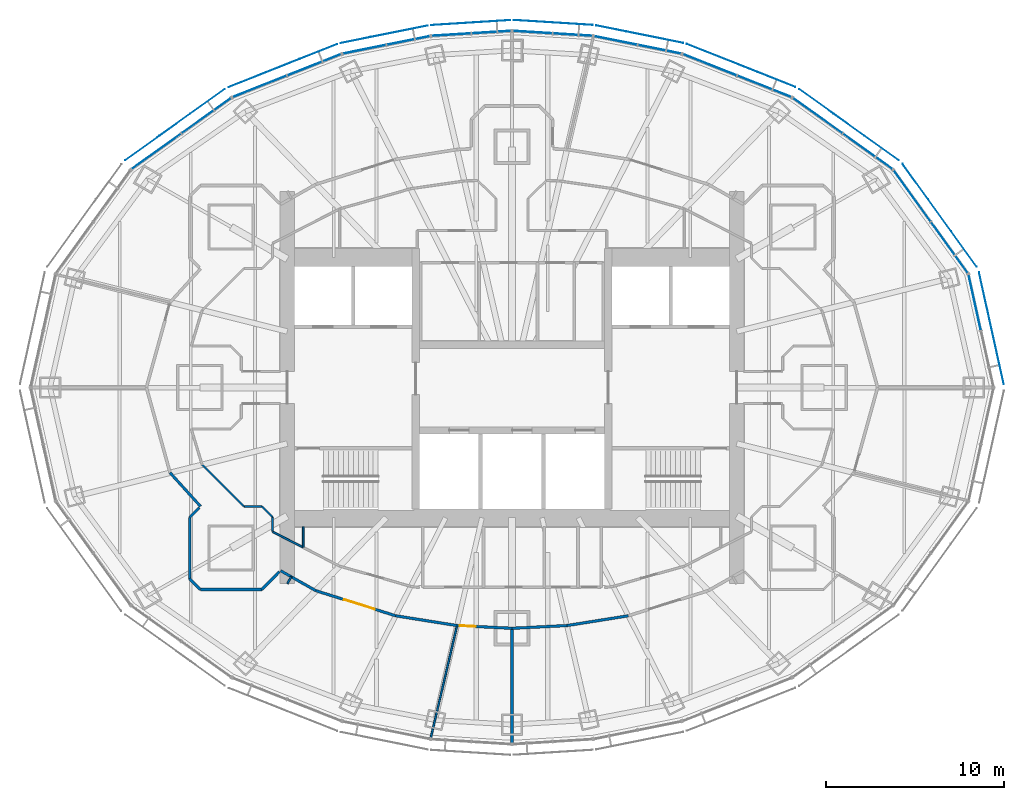
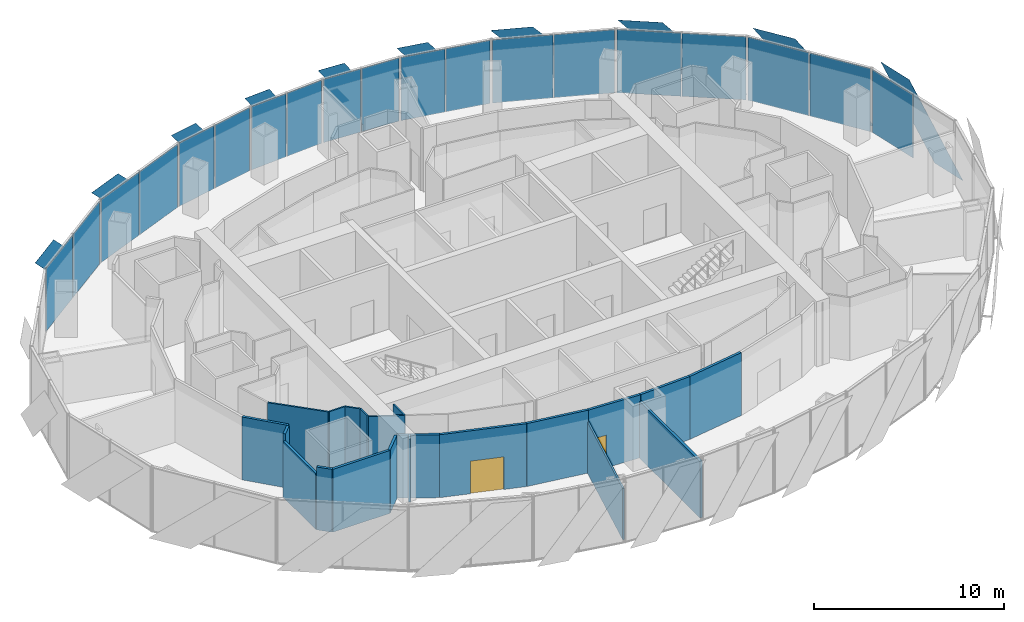
# One storey, part 11 of 18: 29 plates, 21 walls, 2 doors, 2 openings, 10 elements without a shape of their own.
"""IFC4 building model written with IfcOpenShell, lengths in metres."""

from ifc_helpers import new_model, si_unit, direction, frame, frame_2d, origin, origin_2d, place, context, subcontext, project, spatial, polyline, rectangle, outline, extrude, material, layer, layer_set, type_object, element, fill, aggregate, save


model = new_model("IFC4")

# Units and contexts
model_context = context("Model", 3, precision=1e-05, world=origin(), true_north=direction((0.0, 1.0)))
body_context = subcontext(model_context, "Body", "Model", "MODEL_VIEW")
ifc_project = project(units=[si_unit("LENGTHUNIT", "METRE"), si_unit("AREAUNIT", "SQUARE_METRE"), si_unit("VOLUMEUNIT", "CUBIC_METRE"), si_unit("PLANEANGLEUNIT", "RADIAN"), si_unit("MASSUNIT", "GRAM", prefix="KILO")], contexts=[model_context])

# Site, building, storey
site_placement = place(None, origin())
site = spatial("IfcSite", under=ifc_project, at=site_placement, CompositionType="ELEMENT")
building_placement = place(site_placement, origin())
building = spatial("IfcBuilding", under=site, at=building_placement, Name="Lantaw Convention Tower", CompositionType="ELEMENT")
storey_placement = place(building_placement, frame((0.0, 0.0, 262.0)))
storey = spatial("IfcBuildingStorey", under=building, at=storey_placement, Name="L61", CompositionType="ELEMENT", Elevation=262.0)

# Curtain wall, plate
ifc_material_1 = material(Name="Aluminium framed curtain wall", Category="aluminium")
curtain_wall_type = type_object("IfcCurtainWallType", Name="Office curtain wall high rise, pale aluminium", PredefinedType="USERDEFINED", material=ifc_material_1)
curtain_wall_1_placement = place(storey_placement, origin())
curtain_wall_1 = element("IfcCurtainWall", 1, at=curtain_wall_1_placement, inside=storey, type_object=curtain_wall_type, Name="Office curtain wall high rise, pale aluminium L61", ObjectType="UNITISED CURTAIN WALL", PredefinedType="USERDEFINED")
ifc_material_2 = material(Name="Clear insulating glass", Category="glass")
ifc_layer_1 = layer(ifc_material_2, 0.028076171875)
ifc_layer_set_1 = layer_set([ifc_layer_1], Name="CW-O2 panel 28")
plate_type_1 = type_object("IfcPlateType", Name="CW-O2 panel 28", PredefinedType="CURTAIN_PANEL", material=ifc_layer_set_1)
plate_1_placement = place(storey_placement, frame((25.945556640625, 4.769287109375, -0.0849609375), z_axis=(0.0, 0.0, 1.0), x_axis=(-0.215891333626, 0.976417396437, 0.0)))
plate_1 = element("IfcPlate", 2, at=plate_1_placement, type_object=plate_type_1, Name="CW-O2 panel 2.1", PredefinedType="CURTAIN_PANEL", context=body_context, shape_type="SweptSolid", body=[
    extrude(rectangle(XDim=3.169677734375, YDim=0.028076171875, at=origin_2d()), origin(), (0.0, 0.0, 1.0), 4.070068359375),
])
aggregate(curtain_wall_1, [plate_1])

# Curtain wall, plates
curtain_wall_2_placement = place(storey_placement, origin())
curtain_wall_2 = element("IfcCurtainWall", 3, at=curtain_wall_2_placement, inside=storey, type_object=curtain_wall_type, Name="Office curtain wall high rise, pale aluminium L61", ObjectType="UNITISED CURTAIN WALL", PredefinedType="USERDEFINED")
plate_2_placement = place(storey_placement, frame((24.527099609375, 7.852294921875, -0.0849609375), z_axis=(0.0, 0.0, 1.0), x_axis=(-0.585157643865, 0.810919559405, 0.0)))
plate_2 = element("IfcPlate", 4, at=plate_2_placement, type_object=plate_type_1, Name="CW-O2 panel 1.1", PredefinedType="CURTAIN_PANEL", context=body_context, shape_type="SweptSolid", body=[
    extrude(rectangle(XDim=3.500732421875, YDim=0.028076171875, at=origin_2d()), origin(), (0.0, 0.0, 1.0), 4.070068359375),
])
plate_3_placement = place(storey_placement, frame((22.4404296875, 10.743896484375, -0.0849609375), z_axis=(0.0, 0.0, 1.0), x_axis=(-0.585157643865, 0.810919559405, 0.0)))
plate_3 = element("IfcPlate", 5, at=plate_3_placement, type_object=plate_type_1, Name="CW-O2 panel 2.1", PredefinedType="CURTAIN_PANEL", context=body_context, shape_type="SweptSolid", body=[
    extrude(rectangle(XDim=3.500732421875, YDim=0.028076171875, at=origin_2d()), origin(), (0.0, 0.0, 1.0), 4.070068359375),
])
aggregate(curtain_wall_2, [plate_2, plate_3])

curtain_wall_3_placement = place(storey_placement, origin())
curtain_wall_3 = element("IfcCurtainWall", 6, at=curtain_wall_3_placement, inside=storey, type_object=curtain_wall_type, Name="Office curtain wall high rise, pale aluminium L61", ObjectType="UNITISED CURTAIN WALL", PredefinedType="USERDEFINED")
plate_4_placement = place(storey_placement, frame((19.947509765625, 13.23828125, -0.0849609375), z_axis=(0.0, 0.0, 1.0), x_axis=(-0.813672540482, 0.581323487281, 0.0)))
plate_4 = element("IfcPlate", 7, at=plate_4_placement, type_object=plate_type_1, Name="CW-O2 panel 1.1", PredefinedType="CURTAIN_PANEL", context=body_context, shape_type="SweptSolid", body=[
    extrude(rectangle(XDim=3.386474609375, YDim=0.028076171875, at=origin_2d()), origin(), (0.0, 0.0, 1.0), 4.070068359375),
])
plate_5_placement = place(storey_placement, frame((17.13916015625, 15.24462890625, -0.0849609375), z_axis=(0.0, 0.0, 1.0), x_axis=(-0.813672540482, 0.581323487281, 0.0)))
plate_5 = element("IfcPlate", 8, at=plate_5_placement, type_object=plate_type_1, Name="CW-O2 panel 2.1", PredefinedType="CURTAIN_PANEL", context=body_context, shape_type="SweptSolid", body=[
    extrude(rectangle(XDim=3.386474609375, YDim=0.028076171875, at=origin_2d()), origin(), (0.0, 0.0, 1.0), 4.070068359375),
])
aggregate(curtain_wall_3, [plate_4, plate_5])

curtain_wall_4_placement = place(storey_placement, origin())
curtain_wall_4 = element("IfcCurtainWall", 9, at=curtain_wall_4_placement, inside=storey, type_object=curtain_wall_type, Name="Office curtain wall high rise, pale aluminium L61", ObjectType="UNITISED CURTAIN WALL", PredefinedType="USERDEFINED")
plate_6_placement = place(storey_placement, frame((14.14990234375, 16.8837890625, -0.0849609375), z_axis=(0.0, 0.0, 1.0), x_axis=(-0.929761533743, 0.368162315252, 0.0)))
plate_6 = element("IfcPlate", 10, at=plate_6_placement, type_object=plate_type_1, Name="CW-O2 panel 1.1", PredefinedType="CURTAIN_PANEL", context=body_context, shape_type="SweptSolid", body=[
    extrude(rectangle(XDim=3.222900390625, YDim=0.028076171875, at=origin_2d()), origin(), (0.0, 0.0, 1.0), 4.070068359375),
])
plate_7_placement = place(storey_placement, frame((11.0927734375, 18.094482421875, -0.0849609375), z_axis=(0.0, 0.0, 1.0), x_axis=(-0.929761533743, 0.368162315252, 0.0)))
plate_7 = element("IfcPlate", 11, at=plate_7_placement, type_object=plate_type_1, Name="CW-O2 panel 2.1", PredefinedType="CURTAIN_PANEL", context=body_context, shape_type="SweptSolid", body=[
    extrude(rectangle(XDim=3.222900390625, YDim=0.028076171875, at=origin_2d()), origin(), (0.0, 0.0, 1.0), 4.070068359375),
])
aggregate(curtain_wall_4, [plate_6, plate_7])

curtain_wall_5_placement = place(storey_placement, origin())
curtain_wall_5 = element("IfcCurtainWall", 12, at=curtain_wall_5_placement, inside=storey, type_object=curtain_wall_type, Name="Office curtain wall high rise, pale aluminium L61", ObjectType="UNITISED CURTAIN WALL", PredefinedType="USERDEFINED")
plate_8_placement = place(storey_placement, frame((8.2724609375, 18.96533203125, -0.0849609375), z_axis=(0.0, 0.0, 1.0), x_axis=(-0.980366679695, 0.197183095987, 0.0)))
plate_8 = element("IfcPlate", 13, at=plate_8_placement, type_object=plate_type_1, Name="CW-O2 panel 1.1", PredefinedType="CURTAIN_PANEL", context=body_context, shape_type="SweptSolid", body=[
    extrude(rectangle(XDim=2.44384765625, YDim=0.028076171875, at=origin_2d()), origin(), (0.0, 0.0, 1.0), 4.070068359375),
])
plate_9_placement = place(storey_placement, frame((5.81298828125, 19.4599609375, -0.0849609375), z_axis=(0.0, 0.0, 1.0), x_axis=(-0.980366679695, 0.197183095987, 0.0)))
plate_9 = element("IfcPlate", 14, at=plate_9_placement, type_object=plate_type_1, Name="CW-O2 panel 2.1", PredefinedType="CURTAIN_PANEL", context=body_context, shape_type="SweptSolid", body=[
    extrude(rectangle(XDim=2.44384765625, YDim=0.028076171875, at=origin_2d()), origin(), (0.0, 0.0, 1.0), 4.070068359375),
])
aggregate(curtain_wall_5, [plate_8, plate_9])

curtain_wall_6_placement = place(storey_placement, origin())
curtain_wall_6 = element("IfcCurtainWall", 15, at=curtain_wall_6_placement, inside=storey, type_object=curtain_wall_type, Name="Office curtain wall high rise, pale aluminium L61", ObjectType="UNITISED CURTAIN WALL", PredefinedType="USERDEFINED")
plate_10_placement = place(storey_placement, frame((3.397216796875, 19.786376953125, -0.0849609375), z_axis=(0.0, 0.0, 1.0), x_axis=(-0.998028774865, 0.062757983884, 0.0)))
plate_10 = element("IfcPlate", 16, at=plate_10_placement, type_object=plate_type_1, Name="CW-O2 panel 1.1", PredefinedType="CURTAIN_PANEL", context=body_context, shape_type="SweptSolid", body=[
    extrude(rectangle(XDim=2.1826171875, YDim=0.028076171875, at=origin_2d()), origin(), (0.0, 0.0, 1.0), 4.070068359375),
])
plate_11_placement = place(storey_placement, frame((1.154052734375, 19.927490234375, -0.0849609375), z_axis=(0.0, 0.0, 1.0), x_axis=(-0.998028774865, 0.062757983884, 0.0)))
plate_11 = element("IfcPlate", 17, at=plate_11_placement, type_object=plate_type_1, Name="CW-O2 panel 2.1", PredefinedType="CURTAIN_PANEL", context=body_context, shape_type="SweptSolid", body=[
    extrude(rectangle(XDim=2.1826171875, YDim=0.028076171875, at=origin_2d()), origin(), (0.0, 0.0, 1.0), 4.070068359375),
])
aggregate(curtain_wall_6, [plate_10, plate_11])

curtain_wall_7_placement = place(storey_placement, origin())
curtain_wall_7 = element("IfcCurtainWall", 18, at=curtain_wall_7_placement, inside=storey, type_object=curtain_wall_type, Name="Office curtain wall high rise, pale aluminium L61", ObjectType="UNITISED CURTAIN WALL", PredefinedType="USERDEFINED")
plate_12_placement = place(storey_placement, frame((-1.154052734375, 19.927490234375, -0.0849609375), z_axis=(0.0, 0.0, 1.0), x_axis=(-0.998028774865, -0.062757983884, 0.0)))
plate_12 = element("IfcPlate", 19, at=plate_12_placement, type_object=plate_type_1, Name="CW-O2 panel 1.1", PredefinedType="CURTAIN_PANEL", context=body_context, shape_type="SweptSolid", body=[
    extrude(rectangle(XDim=2.1826171875, YDim=0.028076171875, at=origin_2d()), origin(), (0.0, 0.0, 1.0), 4.070068359375),
])
plate_13_placement = place(storey_placement, frame((-3.397216796875, 19.786376953125, -0.0849609375), z_axis=(0.0, 0.0, 1.0), x_axis=(-0.998028774865, -0.062757983884, 0.0)))
plate_13 = element("IfcPlate", 20, at=plate_13_placement, type_object=plate_type_1, Name="CW-O2 panel 2.1", PredefinedType="CURTAIN_PANEL", context=body_context, shape_type="SweptSolid", body=[
    extrude(rectangle(XDim=2.1826171875, YDim=0.028076171875, at=origin_2d()), origin(), (0.0, 0.0, 1.0), 4.070068359375),
])
aggregate(curtain_wall_7, [plate_12, plate_13])

curtain_wall_8_placement = place(storey_placement, origin())
curtain_wall_8 = element("IfcCurtainWall", 21, at=curtain_wall_8_placement, inside=storey, type_object=curtain_wall_type, Name="Office curtain wall high rise, pale aluminium L61", ObjectType="UNITISED CURTAIN WALL", PredefinedType="USERDEFINED")
plate_14_placement = place(storey_placement, frame((-5.81298828125, 19.4599609375, -0.0849609375), z_axis=(0.0, 0.0, 1.0), x_axis=(-0.980366679695, -0.197183095987, 0.0)))
plate_14 = element("IfcPlate", 22, at=plate_14_placement, type_object=plate_type_1, Name="CW-O2 panel 1.1", PredefinedType="CURTAIN_PANEL", context=body_context, shape_type="SweptSolid", body=[
    extrude(rectangle(XDim=2.44384765625, YDim=0.028076171875, at=origin_2d()), origin(), (0.0, 0.0, 1.0), 4.070068359375),
])
plate_15_placement = place(storey_placement, frame((-8.2724609375, 18.96533203125, -0.0849609375), z_axis=(0.0, 0.0, 1.0), x_axis=(-0.980366679695, -0.197183095987, 0.0)))
plate_15 = element("IfcPlate", 23, at=plate_15_placement, type_object=plate_type_1, Name="CW-O2 panel 2.1", PredefinedType="CURTAIN_PANEL", context=body_context, shape_type="SweptSolid", body=[
    extrude(rectangle(XDim=2.44384765625, YDim=0.028076171875, at=origin_2d()), origin(), (0.0, 0.0, 1.0), 4.070068359375),
])
aggregate(curtain_wall_8, [plate_14, plate_15])

curtain_wall_9_placement = place(storey_placement, origin())
curtain_wall_9 = element("IfcCurtainWall", 24, at=curtain_wall_9_placement, inside=storey, type_object=curtain_wall_type, Name="Office curtain wall high rise, pale aluminium L61", ObjectType="UNITISED CURTAIN WALL", PredefinedType="USERDEFINED")
plate_16_placement = place(storey_placement, frame((-11.0927734375, 18.094482421875, -0.0849609375), z_axis=(0.0, 0.0, 1.0), x_axis=(-0.929761533743, -0.368162315252, 0.0)))
plate_16 = element("IfcPlate", 25, at=plate_16_placement, type_object=plate_type_1, Name="CW-O2 panel 1.1", PredefinedType="CURTAIN_PANEL", context=body_context, shape_type="SweptSolid", body=[
    extrude(rectangle(XDim=3.222900390625, YDim=0.028076171875, at=origin_2d()), origin(), (0.0, 0.0, 1.0), 4.070068359375),
])
plate_17_placement = place(storey_placement, frame((-14.14990234375, 16.8837890625, -0.0849609375), z_axis=(0.0, 0.0, 1.0), x_axis=(-0.929761533743, -0.368162315252, 0.0)))
plate_17 = element("IfcPlate", 26, at=plate_17_placement, type_object=plate_type_1, Name="CW-O2 panel 2.1", PredefinedType="CURTAIN_PANEL", context=body_context, shape_type="SweptSolid", body=[
    extrude(rectangle(XDim=3.222900390625, YDim=0.028076171875, at=origin_2d()), origin(), (0.0, 0.0, 1.0), 4.070068359375),
])
aggregate(curtain_wall_9, [plate_16, plate_17])

curtain_wall_10_placement = place(storey_placement, origin())
curtain_wall_10 = element("IfcCurtainWall", 27, at=curtain_wall_10_placement, inside=storey, type_object=curtain_wall_type, Name="Office curtain wall high rise, pale aluminium L61", ObjectType="UNITISED CURTAIN WALL", PredefinedType="USERDEFINED")
plate_18_placement = place(storey_placement, frame((-17.13916015625, 15.24462890625, -0.0849609375), z_axis=(0.0, 0.0, 1.0), x_axis=(-0.813672540482, -0.581323487281, 0.0)))
plate_18 = element("IfcPlate", 28, at=plate_18_placement, type_object=plate_type_1, Name="CW-O2 panel 1.1", PredefinedType="CURTAIN_PANEL", context=body_context, shape_type="SweptSolid", body=[
    extrude(rectangle(XDim=3.386474609375, YDim=0.028076171875, at=origin_2d()), origin(), (0.0, 0.0, 1.0), 4.070068359375),
])
plate_19_placement = place(storey_placement, frame((-19.947509765625, 13.23828125, -0.0849609375), z_axis=(0.0, 0.0, 1.0), x_axis=(-0.813672540482, -0.581323487281, 0.0)))
plate_19 = element("IfcPlate", 29, at=plate_19_placement, type_object=plate_type_1, Name="CW-O2 panel 2.1", PredefinedType="CURTAIN_PANEL", context=body_context, shape_type="SweptSolid", body=[
    extrude(rectangle(XDim=3.386474609375, YDim=0.028076171875, at=origin_2d()), origin(), (0.0, 0.0, 1.0), 4.070068359375),
])
aggregate(curtain_wall_10, [plate_18, plate_19])

# Plates
ifc_material_3 = material(Name="Perforated aluminium sheet, pale silver finish", Category="aluminium")
ifc_layer_2 = layer(ifc_material_3, 0.006103515625)
ifc_layer_set_2 = layer_set([ifc_layer_2], Name="Perforated aluminium solar SCREEN panel")
plate_type_2 = type_object("IfcPlateType", Name="Perforated aluminium solar SCREEN panel", PredefinedType="SHEET", material=ifc_layer_set_2)
plate_20_placement = place(storey_placement, frame((27.580810546875, 0.1796875, -0.175048828125), z_axis=(0.976429511424, 0.215836529031, 4.4219438e-05), x_axis=(-0.215836529242, 0.976429512379, 0.0)))
element("IfcPlate", 30, at=plate_20_placement, inside=storey, type_object=plate_type_2, Name="Solar SCREEN panel", PredefinedType="SHEET", context=body_context, shape_type="SweptSolid", body=[
    extrude(outline(polyline([(0.0, 0.0), (2.2215525295212517, -3.3881317890172014e-21), (6.4341686174090675, 4.340087894868215), (4.212616087887817, 4.340087894868215), (0.0, 0.0)])), origin(), (0.0, 0.0, -1.0), 0.006103515625),
])
plate_21_placement = place(storey_placement, frame((26.051513671875, 6.775390625, -0.175048828125), z_axis=(-0.810892289695, -0.585195432394, 2.0458414e-05), x_axis=(-0.585195432516, 0.810892289865, 0.0)))
element("IfcPlate", 31, at=plate_21_placement, inside=storey, type_object=plate_type_2, Name="Solar SCREEN panel", PredefinedType="SHEET", context=body_context, shape_type="SweptSolid", body=[
    extrude(outline(polyline([(0.0, 0.0), (2.446848840683286, 6.776263578034403e-21), (7.09661046667572, -4.340087891533265), (4.649761625992435, -4.340087891533265), (0.0, 0.0)])), origin(), (0.0, 0.0, -1.0), 0.006103515625),
])
plate_22_placement = place(storey_placement, frame((21.689697265625, 12.73828125, -0.175048828125), z_axis=(0.581330799771, 0.813667316006, 1.0072414e-05), x_axis=(-0.813667316047, 0.5813307998, 3.02e-10)))
element("IfcPlate", 32, at=plate_22_placement, inside=storey, type_object=plate_type_2, Name="Solar SCREEN panel", PredefinedType="SHEET", context=body_context, shape_type="SweptSolid", body=[
    extrude(outline(polyline([(0.0, 0.0), (2.3691416428668504, 0.0), (6.867806096558412, 4.34008788877314), (4.498863102938644, 4.340087890202622), (0.0, 0.0)])), origin(), (0.0, 0.0, -1.0), 0.006103515625),
])
plate_23_placement = place(storey_placement, frame((15.88525390625, 16.8486328125, -0.175048828125), z_axis=(-0.368116612072, -0.929779629081, 3.5533269e-05), x_axis=(-0.929779629668, 0.368116612304, -1.786e-09)))
element("IfcPlate", 33, at=plate_23_placement, inside=storey, type_object=plate_type_2, Name="Solar SCREEN panel", PredefinedType="SHEET", context=body_context, shape_type="SweptSolid", body=[
    extrude(outline(polyline([(0.0, 0.0), (2.2578720663572183, -3.3881317890172014e-21), (6.540904465438181, -4.340087905048178), (4.282942526861161, -4.340087896982072), (0.0, 0.0)])), origin(), (0.0, 0.0, -1.0), 0.006103515625),
])
plate_24_placement = place(storey_placement, frame((9.6044921875, 19.315673828125, -0.175048828125), z_axis=(-0.197162069853, -0.980370908428, 1.0904083e-05), x_axis=(-0.980370908486, 0.197162069865, -7.55e-10)))
element("IfcPlate", 34, at=plate_24_placement, inside=storey, type_object=plate_type_2, Name="Solar SCREEN panel", PredefinedType="SHEET", context=body_context, shape_type="SweptSolid", body=[
    extrude(outline(polyline([(0.0, 0.0), (1.7279870169553606, 8.470329472543003e-22), (4.982578440602753, -4.340087894645749), (3.2545432883764285, -4.340087892035838), (0.0, 0.0)])), origin(), (0.0, 0.0, -1.0), 0.006103515625),
])
plate_25_placement = place(storey_placement, frame((4.539306640625, 20.32177734375, -0.175048828125), z_axis=(-0.062672387577, -0.998034151922, 5.858668e-05), x_axis=(-0.998034153635, 0.062672387685, 0.0)))
element("IfcPlate", 35, at=plate_25_placement, inside=storey, type_object=plate_type_2, Name="Solar SCREEN panel", PredefinedType="SHEET", context=body_context, shape_type="SweptSolid", body=[
    extrude(outline(polyline([(0.0, 0.0), (1.5504111513762302, 8.470329472543003e-22), (4.460200019412434, -4.340087898073457), (2.9097888680362036, -4.340087898073457), (0.0, 0.0)])), origin(), (0.0, 0.0, -1.0), 0.006103515625),
])
plate_26_placement = place(storey_placement, frame((-0.087890625, 20.6015625, -0.175048828125), z_axis=(-0.062672387577, 0.998034151922, 5.858668e-05), x_axis=(-0.998034153635, -0.062672387685, 0.0)))
element("IfcPlate", 36, at=plate_26_placement, inside=storey, type_object=plate_type_2, Name="Solar SCREEN panel", PredefinedType="SHEET", context=body_context, shape_type="SweptSolid", body=[
    extrude(outline(polyline([(0.0, 0.0), (1.5504111513762302, -8.470329472543003e-22), (4.460200019412434, 4.340087898073457), (2.9097888680362036, 4.340087898073457), (0.0, 0.0)])), origin(), (0.0, 0.0, -1.0), 0.006103515625),
])
plate_27_placement = place(storey_placement, frame((-4.7197265625, 20.298095703125, -0.175048828125), z_axis=(-0.197162069853, 0.980370908428, 1.0904083e-05), x_axis=(-0.980370908486, -0.197162069865, 7.55e-10)))
element("IfcPlate", 37, at=plate_27_placement, inside=storey, type_object=plate_type_2, Name="Solar SCREEN panel", PredefinedType="SHEET", context=body_context, shape_type="SweptSolid", body=[
    extrude(outline(polyline([(0.0, 0.0), (1.7280351522263238, 4.235164736271502e-22), (4.982578447157737, 4.34008788712039), (3.2545914302023755, 4.340087889730228), (0.0, 0.0)])), origin(), (0.0, 0.0, -1.0), 0.006103515625),
])
plate_28_placement = place(storey_placement, frame((-9.8037109375, 19.256591796875, -0.175048828125), z_axis=(-0.368116612072, 0.929779629081, 3.5533269e-05), x_axis=(-0.929779629668, -0.368116612304, 1.786e-09)))
element("IfcPlate", 38, at=plate_28_placement, inside=storey, type_object=plate_type_2, Name="Solar SCREEN panel", PredefinedType="SHEET", context=body_context, shape_type="SweptSolid", body=[
    extrude(outline(polyline([(0.0, 0.0), (2.257961938577019, 0.0), (6.540904480942253, 4.34008788168214), (4.283032414585035, 4.340087889747925), (0.0, 0.0)])), origin(), (0.0, 0.0, -1.0), 0.006103515625),
])
plate_29_placement = place(storey_placement, frame((-16.1015625, 16.730712890625, -0.175048828125), z_axis=(0.581330799771, -0.813667316006, 1.0072414e-05), x_axis=(-0.813667316047, -0.5813307998, -3.02e-10)))
element("IfcPlate", 39, at=plate_29_placement, inside=storey, type_object=plate_type_2, Name="Solar SCREEN panel", PredefinedType="SHEET", context=body_context, shape_type="SweptSolid", body=[
    extrude(outline(polyline([(0.0, 0.0), (2.3689429936197683, -1.6940658945086007e-21), (6.867806093939489, -4.340087892917353), (4.498664451072639, -4.340087891487751), (0.0, 0.0)])), origin(), (0.0, 0.0, -1.0), 0.006103515625),
])

# Wall, opening, door
ifc_material_4 = material(Name="Gypsum board on steel studs, fire rated", Category="steel")
ifc_layer_3 = layer(ifc_material_4, 0.14990234375)
ifc_layer_set_3 = layer_set([ifc_layer_3], Name="Corridor wall 150 EI 60")
wall_type_1 = type_object("IfcWallType", Name="Corridor wall 150 EI 60", PredefinedType="PARTITIONING", material=ifc_layer_set_3)
wall_1_placement = place(storey_placement, frame((-11.000732421875, -11.3916015625, 0.0), z_axis=(0.0, 0.0, 1.0), x_axis=(0.954031103669, -0.299707612903, 0.0)))
wall_1 = element("IfcWall", 40, at=wall_1_placement, inside=storey, type_object=wall_type_1, Name="Corridor wall 150", PredefinedType="PARTITIONING", context=body_context, shape_type="SweptSolid", body=[
    extrude(rectangle(XDim=4.6953125, YDim=0.14990234375, at=frame_2d((2.34765625, 0.0))), origin(), (0.0, 0.0, 1.0), 4.050048828125),
])
opening_1_placement = place(wall_1_placement, frame((1.663818359375, 0.0, 0.0)))
opening_1 = element("IfcOpeningElement", 41, at=opening_1_placement, cuts=wall_1, Name="Opening L61.34", PredefinedType="OPENING", context=body_context, shape_type="SweptSolid", body=[
    extrude(rectangle(XDim=1.800048828125, YDim=2.10009765625, at=frame_2d((0.89990234375, 1.050048828125))), frame((0.0, 0.0849609375, 0.0), z_axis=(0.0, -1.0, 0.0), x_axis=(1.0, 0.0, 0.0)), (0.0, 0.0, 1.0), 0.169921875),
])
ifc_material_5 = material(Name="Steel, fire rated", Category="steel")
door_type_1 = type_object("IfcDoorType", Name="Office double door 1800 FD30", OperationType="DOUBLE_DOOR_DOUBLE_SWING", PredefinedType="DOOR", material=ifc_material_5)
door_1_placement = place(opening_1_placement, origin())
door_1 = element("IfcDoor", 42, at=door_1_placement, inside=storey, type_object=door_type_1, Name="Tenant suite door", OperationType="DOUBLE_DOOR_DOUBLE_SWING", OverallHeight=2.10009765625, OverallWidth=1.800048828125, PredefinedType="DOOR", context=body_context, shape_type="SweptSolid", body=[
    extrude(rectangle(XDim=1.800048828125, YDim=2.10009765625, at=frame_2d((0.89990234375, 1.050048828125))), frame((0.0, 0.02490234375, 0.0), z_axis=(0.0, -1.0, 0.0), x_axis=(1.0, 0.0, 0.0)), (0.0, 0.0, 1.0), 0.050048828125),
])
fill(opening_1, door_1)

# Wall
wall_2_placement = place(storey_placement, frame((-6.521240234375, -12.798828125, 0.0), z_axis=(0.0, 0.0, 1.0), x_axis=(0.987554093087, -0.157279729233, 0.0)))
element("IfcWall", 43, at=wall_2_placement, inside=storey, type_object=wall_type_1, Name="Corridor wall 150", PredefinedType="PARTITIONING", context=body_context, shape_type="SweptSolid", body=[
    extrude(rectangle(XDim=3.4833984375, YDim=0.14990234375, at=frame_2d((1.74169921875, 0.0))), origin(), (0.0, 0.0, 1.0), 4.050048828125),
])

# Wall, opening, door
wall_3_placement = place(storey_placement, frame((-3.081298828125, -13.3466796875, 0.0), z_axis=(0.0, 0.0, 1.0), x_axis=(0.99876434787, -0.049696855278, 0.0)))
wall_3 = element("IfcWall", 44, at=wall_3_placement, inside=storey, type_object=wall_type_1, Name="Corridor wall 150", PredefinedType="PARTITIONING", context=body_context, shape_type="SweptSolid", body=[
    extrude(rectangle(XDim=3.085205078125, YDim=0.14990234375, at=frame_2d((1.54248046875, 0.0))), origin(), (0.0, 0.0, 1.0), 4.050048828125),
])
opening_2_placement = place(wall_3_placement, frame((0.14990234375, 0.0, 0.0)))
opening_2 = element("IfcOpeningElement", 45, at=opening_2_placement, cuts=wall_3, Name="Opening L61.35", PredefinedType="OPENING", context=body_context, shape_type="SweptSolid", body=[
    extrude(rectangle(XDim=0.89990234375, YDim=2.10009765625, at=frame_2d((0.449951171875, 1.050048828125))), frame((0.0, 0.0849609375, 0.0), z_axis=(0.0, -1.0, 0.0), x_axis=(1.0, 0.0, 0.0)), (0.0, 0.0, 1.0), 0.169921875),
])
door_type_2 = type_object("IfcDoorType", Name="Office door 900 FD30", OperationType="SINGLE_SWING_LEFT", PredefinedType="DOOR", material=ifc_material_5)
door_2_placement = place(opening_2_placement, origin())
door_2 = element("IfcDoor", 46, at=door_2_placement, inside=storey, type_object=door_type_2, Name="Meeting room door", OperationType="SINGLE_SWING_LEFT", OverallHeight=2.10009765625, OverallWidth=0.89990234375, PredefinedType="DOOR", context=body_context, shape_type="SweptSolid", body=[
    extrude(rectangle(XDim=0.89990234375, YDim=2.10009765625, at=frame_2d((0.449951171875, 1.050048828125))), frame((0.0, 0.02490234375, 0.0), z_axis=(0.0, -1.0, 0.0), x_axis=(1.0, 0.0, 0.0)), (0.0, 0.0, 1.0), 0.050048828125),
])
fill(opening_2, door_2)

# Walls
wall_4_placement = place(storey_placement, frame((0.0, -13.5, 0.0), z_axis=(0.0, 0.0, 1.0), x_axis=(0.99876434787, 0.049696855278, 0.0)))
element("IfcWall", 47, at=wall_4_placement, inside=storey, type_object=wall_type_1, Name="Corridor wall 150", PredefinedType="PARTITIONING", context=body_context, shape_type="SweptSolid", body=[
    extrude(rectangle(XDim=3.085205078125, YDim=0.14990234375, at=frame_2d((1.54248046875, 0.0))), origin(), (0.0, 0.0, 1.0), 4.050048828125),
])
wall_5_placement = place(storey_placement, frame((3.081298828125, -13.3466796875, 0.0), z_axis=(0.0, 0.0, 1.0), x_axis=(0.987554093087, 0.157279729233, 0.0)))
element("IfcWall", 48, at=wall_5_placement, inside=storey, type_object=wall_type_1, Name="Corridor wall 150", PredefinedType="PARTITIONING", context=body_context, shape_type="SweptSolid", body=[
    extrude(rectangle(XDim=3.4833984375, YDim=0.14990234375, at=frame_2d((1.74169921875, 0.0))), origin(), (0.0, 0.0, 1.0), 4.050048828125),
])
wall_6_placement = place(storey_placement, frame((-19.171875, -4.780029296875, 0.0), z_axis=(0.0, 0.0, 1.0), x_axis=(0.671721890643, -0.74080341632, 0.0)))
element("IfcWall", 49, at=wall_6_placement, inside=storey, type_object=wall_type_1, Name="Corridor wall 150", PredefinedType="PARTITIONING", context=body_context, shape_type="SweptSolid", body=[
    extrude(rectangle(XDim=2.54443359375, YDim=0.14990234375, at=frame_2d((1.272216796875, 0.0))), origin(), (0.0, 0.0, 1.0), 4.050048828125),
])
wall_7_placement = place(storey_placement, frame((-12.974609375, -10.271484375, 0.0), z_axis=(0.0, 0.0, 1.0), x_axis=(0.869722107117, -0.493541747366, 0.0)))
element("IfcWall", 50, at=wall_7_placement, inside=storey, type_object=wall_type_1, Name="Corridor wall 150", PredefinedType="PARTITIONING", context=body_context, shape_type="SweptSolid", body=[
    extrude(rectangle(XDim=2.26953125, YDim=0.14990234375, at=frame_2d((1.134765625, 0.0))), origin(), (0.0, 0.0, 1.0), 4.050048828125),
])
wall_8_placement = place(storey_placement, frame((-13.035888671875, -10.318603515625, 0.0), z_axis=(0.0, 0.0, 1.0), x_axis=(-0.701113567316, -0.713049623606, 0.0)))
element("IfcWall", 51, at=wall_8_placement, inside=storey, type_object=wall_type_1, Name="Corridor wall 150", PredefinedType="PARTITIONING", context=body_context, shape_type="SweptSolid", body=[
    extrude(rectangle(XDim=1.411376953125, YDim=0.14990234375, at=frame_2d((0.70556640625, 0.0))), origin(), (0.0, 0.0, 1.0), 4.050048828125),
])
wall_9_placement = place(storey_placement, frame((-14.025390625, -11.324951171875, 0.0), z_axis=(0.0, 0.0, 1.0), x_axis=(-1.0, 0.0, 0.0)))
element("IfcWall", 52, at=wall_9_placement, inside=storey, type_object=wall_type_1, Name="Corridor wall 150", PredefinedType="PARTITIONING", context=body_context, shape_type="SweptSolid", body=[
    extrude(rectangle(XDim=3.44921875, YDim=0.14990234375, at=frame_2d((1.724609375, 0.0))), origin(), (0.0, 0.0, 1.0), 4.050048828125),
])
wall_10_placement = place(storey_placement, frame((-17.474609375, -11.324951171875, 0.0), z_axis=(0.0, 0.0, 1.0), x_axis=(-0.707106781187, 0.707106781187, 0.0)))
element("IfcWall", 53, at=wall_10_placement, inside=storey, type_object=wall_type_1, Name="Corridor wall 150", PredefinedType="PARTITIONING", context=body_context, shape_type="SweptSolid", body=[
    extrude(rectangle(XDim=0.84912109375, YDim=0.14990234375, at=frame_2d((0.424560546875, 0.0))), origin(), (0.0, 0.0, 1.0), 4.050048828125),
])
wall_11_placement = place(storey_placement, frame((-18.074951171875, -10.724609375, 0.0), z_axis=(0.0, 0.0, 1.0), x_axis=(0.0, 1.0, 0.0)))
element("IfcWall", 54, at=wall_11_placement, inside=storey, type_object=wall_type_1, Name="Corridor wall 150", PredefinedType="PARTITIONING", context=body_context, shape_type="SweptSolid", body=[
    extrude(rectangle(XDim=3.44921875, YDim=0.14990234375, at=frame_2d((1.724609375, 0.0))), origin(), (0.0, 0.0, 1.0), 3.600341796875),
])
wall_12_placement = place(storey_placement, frame((-18.074951171875, -7.275390625, 0.0), z_axis=(0.0, 0.0, 1.0), x_axis=(0.707106781187, 0.707106781187, 0.0)))
element("IfcWall", 55, at=wall_12_placement, inside=storey, type_object=wall_type_1, Name="Corridor wall 150", PredefinedType="PARTITIONING", context=body_context, shape_type="SweptSolid", body=[
    extrude(rectangle(XDim=0.759521484375, YDim=0.14990234375, at=frame_2d((0.3798828125, 0.0))), origin(), (0.0, 0.0, 1.0), 4.050048828125),
])
ifc_material_6 = material(Name="Gypsum board on steel studs, acoustic", Category="steel")
ifc_layer_4 = layer(ifc_material_6, 0.10009765625)
ifc_layer_set_4 = layer_set([ifc_layer_4], Name="Office partition 100")
wall_type_2 = type_object("IfcWallType", Name="Office partition 100", PredefinedType="PARTITIONING", material=ifc_layer_set_4)
wall_13_placement = place(storey_placement, frame((-4.5556640625, -19.65673828125, 0.0), z_axis=(0.0, 0.0, 1.0), x_axis=(0.227524978141, 0.973772244584, 0.0)))
element("IfcWall", 56, at=wall_13_placement, inside=storey, type_object=wall_type_2, Name="Office partition 100", PredefinedType="PARTITIONING", context=body_context, shape_type="SweptSolid", body=[
    extrude(rectangle(XDim=6.47998046875, YDim=0.10009765625, at=frame_2d((3.239990234375, 0.0))), origin(), (0.0, 0.0, 1.0), 3.29296875),
])
wall_14_placement = place(storey_placement, frame((-11.7099609375, -7.800048828125, 0.0), z_axis=(0.0, 0.0, 1.0), x_axis=(0.0, -1.0, 0.0)))
element("IfcWall", 57, at=wall_14_placement, inside=storey, type_object=wall_type_2, Name="Office partition 100", PredefinedType="PARTITIONING", context=body_context, shape_type="SweptSolid", body=[
    extrude(rectangle(XDim=1.1669921875, YDim=0.10009765625, at=frame_2d((0.58349609375, 0.0))), origin(), (0.0, 0.0, 1.0), 4.050048828125),
])
wall_15_placement = place(storey_placement, frame((-12.60009765625, -11.0, 0.0), z_axis=(0.0, 0.0, 1.0), x_axis=(0.493794495037, 0.869578631678, 0.0)))
element("IfcWall", 58, at=wall_15_placement, inside=storey, type_object=wall_type_2, Name="Office partition 100", PredefinedType="PARTITIONING", context=body_context, shape_type="SweptSolid", body=[
    extrude(rectangle(XDim=0.448974609375, YDim=0.10009765625, at=frame_2d((0.224609375, 0.0))), origin(), (0.0, 0.0, 1.0), 4.050048828125),
])
wall_16_placement = place(storey_placement, frame((-11.7099609375, -8.967041015625, 0.0), z_axis=(0.0, 0.0, 1.0), x_axis=(-0.889638356137, 0.456665736935, 0.0)))
element("IfcWall", 59, at=wall_16_placement, inside=storey, type_object=wall_type_2, Name="Office partition 100", PredefinedType="PARTITIONING", context=body_context, shape_type="SweptSolid", body=[
    extrude(rectangle(XDim=1.91650390625, YDim=0.10009765625, at=frame_2d((0.958251953125, 0.0))), origin(), (0.0, 0.0, 1.0), 4.050048828125),
])
wall_17_placement = place(storey_placement, frame((-15.03466796875, -6.6650390625, 0.0), z_axis=(0.0, 0.0, 1.0), x_axis=(-0.707587114823, 0.70662612104, 0.0)))
element("IfcWall", 60, at=wall_17_placement, inside=storey, type_object=wall_type_2, Name="Office partition 100", PredefinedType="PARTITIONING", context=body_context, shape_type="SweptSolid", body=[
    extrude(rectangle(XDim=3.302734375, YDim=0.10009765625, at=frame_2d((1.6513671875, 0.0))), origin(), (0.0, 0.0, 1.0), 4.050048828125),
])
wall_18_placement = place(storey_placement, frame((-15.002197265625, -6.675048828125, 0.0), z_axis=(0.0, 0.0, 1.0), x_axis=(1.0, 0.0, 0.0)))
element("IfcWall", 61, at=wall_18_placement, inside=storey, type_object=wall_type_2, Name="Office partition 100", PredefinedType="PARTITIONING", context=body_context, shape_type="SweptSolid", body=[
    extrude(rectangle(XDim=0.976806640625, YDim=0.10009765625, at=frame_2d((0.48828125, 0.0))), origin(), (0.0, 0.0, 1.0), 4.050048828125),
])
wall_19_placement = place(storey_placement, frame((-14.025390625, -6.675048828125, 0.0), z_axis=(0.0, 0.0, 1.0), x_axis=(0.707106781187, -0.707106781187, 0.0)))
element("IfcWall", 62, at=wall_19_placement, inside=storey, type_object=wall_type_2, Name="Office partition 100", PredefinedType="PARTITIONING", context=body_context, shape_type="SweptSolid", body=[
    extrude(rectangle(XDim=0.84912109375, YDim=0.10009765625, at=frame_2d((0.424560546875, 0.0))), origin(), (0.0, 0.0, 1.0), 4.050048828125),
])
wall_20_placement = place(storey_placement, frame((-13.425048828125, -7.275390625, 0.0), z_axis=(0.0, 0.0, 1.0), x_axis=(0.0, -1.0, 0.0)))
element("IfcWall", 63, at=wall_20_placement, inside=storey, type_object=wall_type_2, Name="Office partition 100", PredefinedType="PARTITIONING", context=body_context, shape_type="SweptSolid", body=[
    extrude(rectangle(XDim=0.770263671875, YDim=0.10009765625, at=frame_2d((0.38525390625, 0.0))), origin(), (0.0, 0.0, 1.0), 4.050048828125),
])
ifc_layer_5 = layer(ifc_material_4, 0.14990234375)
ifc_layer_set_5 = layer_set([ifc_layer_5], Name="Tenant separation wall 150 EI 60")
wall_type_3 = type_object("IfcWallType", Name="Tenant separation wall 150 EI 60", PredefinedType="PARTITIONING", material=ifc_layer_set_5)
wall_21_placement = place(storey_placement, frame((0.0, -19.94482421875, 0.0), z_axis=(0.0, 0.0, 1.0), x_axis=(0.0, 1.0, 0.0)))
element("IfcWall", 64, at=wall_21_placement, inside=storey, type_object=wall_type_3, Name="Tenant separation wall 150", PredefinedType="PARTITIONING", context=body_context, shape_type="SweptSolid", body=[
    extrude(rectangle(XDim=6.44482421875, YDim=0.14990234375, at=frame_2d((3.222412109375, 0.0))), origin(), (0.0, 0.0, 1.0), 3.646240234375),
])

save(model, "model.ifc")
